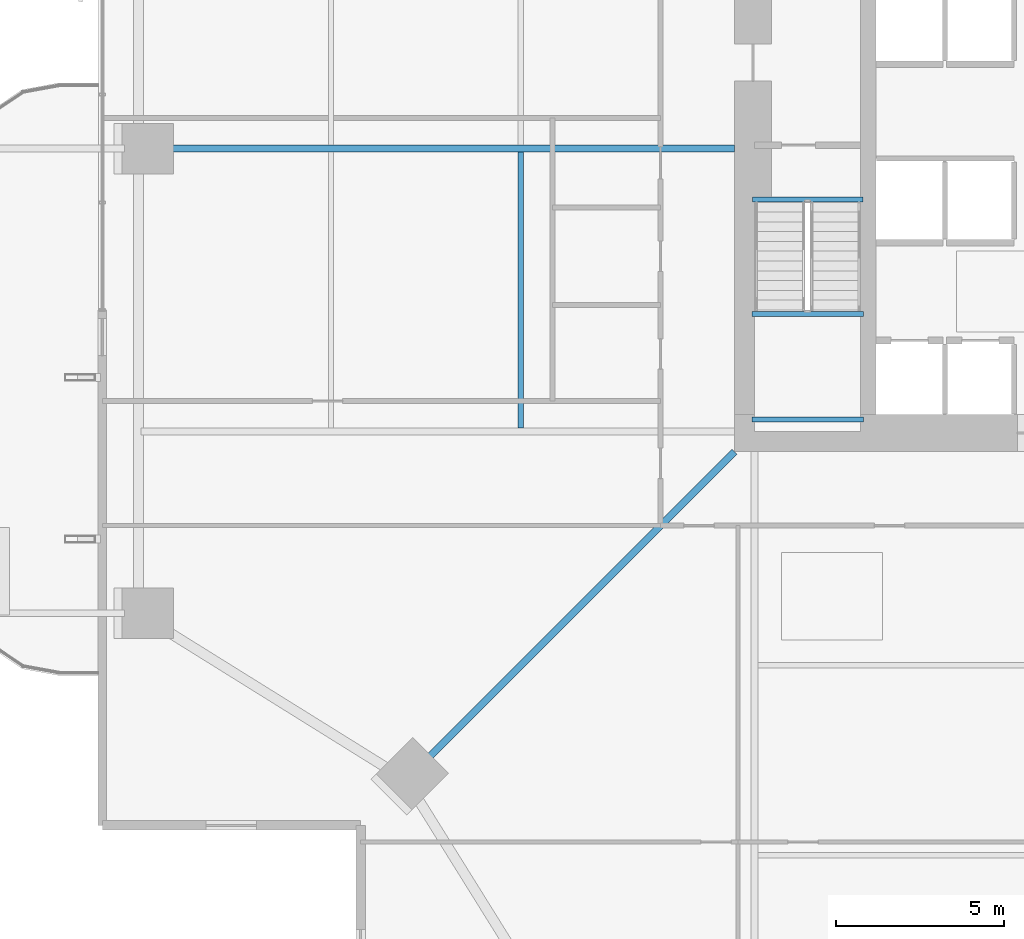
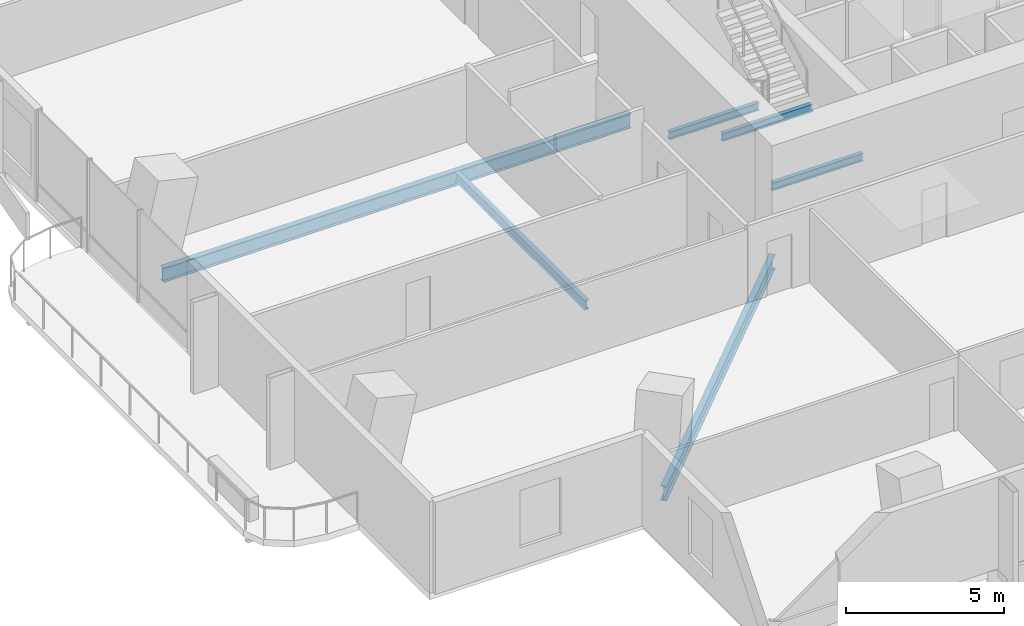
# One storey, part 5 of 24: 6 beams.
"""IFC4 building model written with IfcOpenShell, lengths in metres."""

from ifc_helpers import new_model, si_unit, direction, frame, origin, origin_2d, place, context, subcontext, project, spatial, i_section, extrude, material, material_profile, profile_set, type_object, element, save


model = new_model("IFC4")

# Units and contexts
model_context = context("Model", 3, precision=1e-05, world=origin(), true_north=direction((0.0, 1.0)))
body_context = subcontext(model_context, "Body", "Model", "MODEL_VIEW")
ifc_project = project(units=[si_unit("LENGTHUNIT", "METRE"), si_unit("AREAUNIT", "SQUARE_METRE"), si_unit("VOLUMEUNIT", "CUBIC_METRE"), si_unit("PLANEANGLEUNIT", "RADIAN"), si_unit("MASSUNIT", "GRAM", prefix="KILO")], contexts=[model_context])

# Site, building, storey
site_placement = place(None, origin())
site = spatial("IfcSite", under=ifc_project, at=site_placement, CompositionType="ELEMENT")
building_placement = place(site_placement, origin())
building = spatial("IfcBuilding", under=site, at=building_placement, Name="Belovzor Exchange Tower", CompositionType="ELEMENT")
storey_placement = place(building_placement, frame((0.0, 0.0, 104.10009765625)))
storey = spatial("IfcBuildingStorey", under=building, at=storey_placement, Name="L25", CompositionType="ELEMENT", Elevation=104.10009765625)

# Beams
ifc_material_1 = material(Name="Steel S355", Category="steel")
ifc_material_profile_1 = material_profile(ifc_material_1, i_section(OverallWidth=0.169921875, OverallDepth=0.360107421875, WebThickness=0.008056640625, FlangeThickness=0.0126953125, at=origin_2d()))
ifc_profile_set_1 = profile_set([ifc_material_profile_1], Name="Steel S355")
beam_type_1 = type_object("IfcBeamType", Name="Secondary Infill Floor Joist IPE 360", PredefinedType="BEAM", material=ifc_profile_set_1)
beam_1_placement = place(storey_placement, frame((13.455078125, 20.5048828125, -0.43017578125), z_axis=(0.0, 1.0, 0.0), x_axis=(-1.0, 0.0, 0.0)))
element("IfcBeam", 1, at=beam_1_placement, inside=storey, type_object=beam_type_1, Name="FJ-360 Secondary Infill Floor Joist IPE 360", PredefinedType="BEAM", context=body_context, shape_type="SweptSolid", body=[
    extrude(i_section(OverallWidth=0.169921875, OverallDepth=0.360107421875, WebThickness=0.008056640625, FlangeThickness=0.0126953125, at=origin_2d()), origin(), (0.0, 0.0, 1.0), 8.190185546875),
])
ifc_material_2 = material(Name="Steel S355", Category="steel")
ifc_material_profile_2 = material_profile(ifc_material_2, i_section(OverallWidth=0.14990234375, OverallDepth=0.300048828125, WebThickness=0.007080078125, FlangeThickness=0.0107421875, at=origin_2d()))
ifc_profile_set_2 = profile_set([ifc_material_profile_2], Name="Steel S355")
beam_type_2 = type_object("IfcBeamType", Name="Secondary Trim Floor Joist IPE 300", PredefinedType="BEAM", material=ifc_profile_set_2)
for number, where, z_axis, x_axis, name in (
    (2, (20.320068359375, 23.889892578125, 1.599853515625), (1.0, 0.0, 0.0), (0.0, 1.0, 0.0), "FJ-300 Secondary Trim Floor Joist IPE 300"),
    (3, (20.320068359375, 20.75, 1.599853515625), (1.0, 0.0, 0.0), (0.0, 1.0, 0.0), "FJ-300 Secondary Trim Floor Joist IPE 300"),
):
    element("IfcBeam", number, at=place(storey_placement, frame(where, z_axis=z_axis, x_axis=x_axis)), inside=storey, type_object=beam_type_2, Name=name, PredefinedType="BEAM", context=body_context, shape_type="SweptSolid", body=[
        extrude(i_section(OverallWidth=0.14990234375, OverallDepth=0.300048828125, WebThickness=0.007080078125, FlangeThickness=0.0107421875, at=origin_2d()), origin(), (0.0, 0.0, 1.0), 3.309814453125),
    ])
beam_2_placement = place(storey_placement, frame((20.340087890625, 27.280029296875, -0.400146484375), z_axis=(1.0, 0.0, 0.0), x_axis=(0.0, 1.0, 0.0)))
element("IfcBeam", 4, at=beam_2_placement, inside=storey, type_object=beam_type_2, Name="FJ-300 Secondary Trim Floor Joist IPE 300", PredefinedType="BEAM", context=body_context, shape_type="SweptSolid", body=[
    extrude(i_section(OverallWidth=0.14990234375, OverallDepth=0.300048828125, WebThickness=0.007080078125, FlangeThickness=0.0107421875, at=origin_2d()), origin(), (0.0, 0.0, 1.0), 3.27001953125),
])
ifc_material_3 = material(Name="Steel S355", Category="steel")
ifc_material_profile_3 = material_profile(ifc_material_3, i_section(OverallWidth=0.2099609375, OverallDepth=0.550048828125, WebThickness=0.010986328125, FlangeThickness=0.01708984375, at=origin_2d()))
ifc_profile_set_3 = profile_set([ifc_material_profile_3], Name="Steel S355")
beam_type_3 = type_object("IfcBeamType", Name="Zone 1 Radial Composite Floor Beam IPE 550", PredefinedType="BEAM", material=ifc_profile_set_3)
beam_3_placement = place(storey_placement, frame((19.800048828125, 28.800048828125, -0.525146484375), z_axis=(-1.0, 0.0, 0.0), x_axis=(0.0, -1.0, 0.0)))
element("IfcBeam", 5, at=beam_3_placement, inside=storey, type_object=beam_type_3, Name="FB-550 Zone 1 Radial Composite Floor Beam IPE 550", PredefinedType="BEAM", context=body_context, shape_type="SweptSolid", body=[
    extrude(i_section(OverallWidth=0.2099609375, OverallDepth=0.550048828125, WebThickness=0.010986328125, FlangeThickness=0.01708984375, at=origin_2d()), origin(), (0.0, 0.0, 1.0), 17.0400390625),
])
beam_4_placement = place(storey_placement, frame((19.800048828125, 19.800048828125, -0.525146484375), z_axis=(-0.707106781187, -0.707106781187, 0.0), x_axis=(0.707106781187, -0.707106781187, 0.0)))
element("IfcBeam", 6, at=beam_4_placement, inside=storey, type_object=beam_type_3, Name="FB-550 Zone 1 Radial Composite Floor Beam IPE 550", PredefinedType="BEAM", context=body_context, shape_type="SweptSolid", body=[
    extrude(i_section(OverallWidth=0.2099609375, OverallDepth=0.550048828125, WebThickness=0.010986328125, FlangeThickness=0.01708984375, at=origin_2d()), origin(), (0.0, 0.0, 1.0), 13.25830078125),
])

save(model, "model.ifc")
